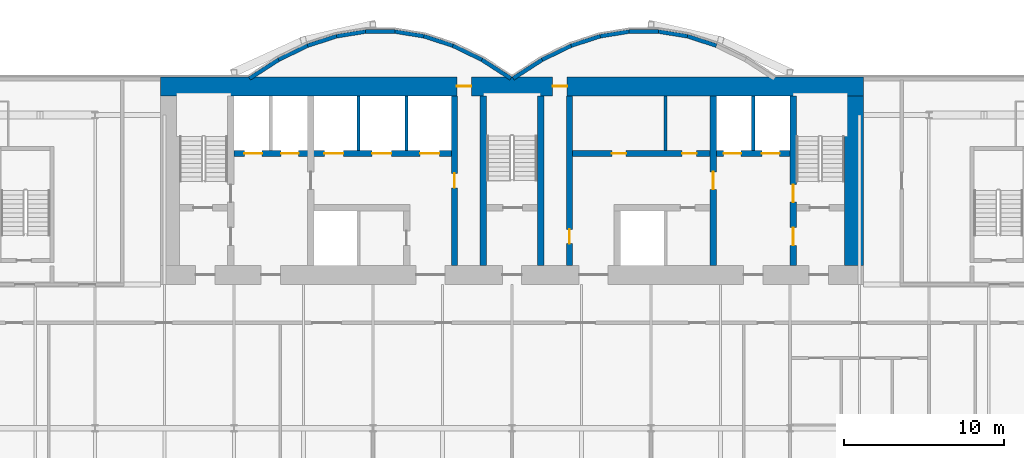
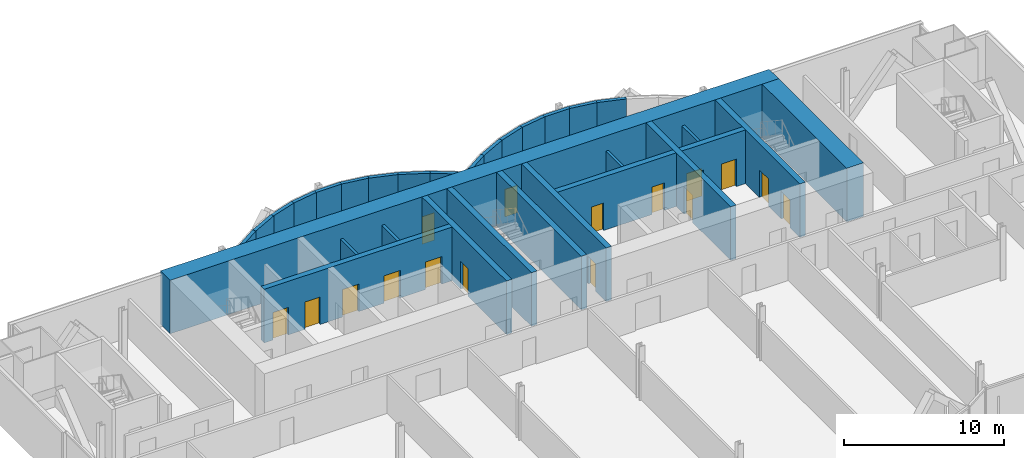
# One storey, part 17 of 21: 30 walls, 16 doors, 16 openings.
"""IFC4 building model written with IfcOpenShell, lengths in metres."""

from ifc_helpers import new_model, si_unit, direction, frame, frame_2d, origin, place, context, subcontext, project, spatial, rectangle, extrude, material, layer, layer_set, layer_usage, type_object, element, fill, save


model = new_model("IFC4")

# Units and contexts
model_context = context("Model", 3, precision=1e-05, world=origin(), true_north=direction((0.0, 1.0)))
body_context = subcontext(model_context, "Body", "Model", "MODEL_VIEW")
ifc_project = project(units=[si_unit("LENGTHUNIT", "METRE"), si_unit("AREAUNIT", "SQUARE_METRE"), si_unit("VOLUMEUNIT", "CUBIC_METRE"), si_unit("PLANEANGLEUNIT", "RADIAN"), si_unit("MASSUNIT", "GRAM", prefix="KILO")], contexts=[model_context])

# Site, building, storey
site_placement = place(None, origin())
site = spatial("IfcSite", under=ifc_project, at=site_placement, CompositionType="ELEMENT")
building_placement = place(site_placement, origin())
building = spatial("IfcBuilding", under=site, at=building_placement, Name="Bicima Exchange Tower", CompositionType="ELEMENT")
storey_placement = place(building_placement, frame((0.0, 0.0, 126.800048828125)))
storey = spatial("IfcBuildingStorey", under=building, at=storey_placement, Name="L27", CompositionType="ELEMENT", Elevation=126.800048828125)

# Walls
ifc_material_1 = material(Name="Gypsum board partition")
ifc_layer_1 = layer(ifc_material_1, 0.199951171875)
ifc_layer_set_1 = layer_set([ifc_layer_1], Name="Gypsum board partition")
wall_type_1 = type_object("IfcWallType", Name="Fire-rated gypsum partition 200 EI120", PredefinedType="PARTITIONING", material=ifc_layer_set_1)
for number, where, z_axis, x_axis, name in (
    (1, (-9.60009765625, -4.60009765625, 0.0), (0.0, 0.0, 1.0), (0.0, 1.0, 0.0), "partition wall 12"),
    (2, (-6.60009765625, -4.60009765625, 0.0), (0.0, 0.0, 1.0), (0.0, 1.0, 0.0), "partition wall 14"),
    (3, (15.10009765625, -4.60009765625, 0.0), (0.0, 0.0, 1.0), (0.0, 1.0, 0.0), "partition wall 23"),
):
    element("IfcWall", number, at=place(storey_placement, frame(where, z_axis=z_axis, x_axis=x_axis)), inside=storey, type_object=wall_type_1, Name=name, PredefinedType="PARTITIONING", context=body_context, shape_type="SweptSolid", body=[
        extrude(rectangle(XDim=3.400146484375, YDim=0.199951171875, at=frame_2d((1.7001953125, 0.0))), origin(), (0.0, 0.0, 1.0), 2.939453125),
    ])
ifc_layer_2 = layer(ifc_material_1, 0.199951171875)
ifc_layer_set_2 = layer_set([ifc_layer_2], Name="Gypsum board partition")
wall_type_2 = type_object("IfcWallType", Name="Fire-rated gypsum partition 200 EI60", PredefinedType="PARTITIONING", material=ifc_layer_set_2)
wall_1_placement = place(storey_placement, frame((9.60009765625, -4.60009765625, 0.0), z_axis=(0.0, 0.0, 1.0), x_axis=(0.0, 1.0, 0.0)))
element("IfcWall", 4, at=wall_1_placement, inside=storey, type_object=wall_type_2, Name="partition wall 21", PredefinedType="PARTITIONING", context=body_context, shape_type="SweptSolid", body=[
    extrude(rectangle(XDim=3.400146484375, YDim=0.199951171875, at=frame_2d((1.7001953125, 0.0))), origin(), (0.0, 0.0, 1.0), 2.939453125),
])

# Wall, openings, doors
ifc_material_2 = material(Name="Concrete C60/75", Category="concrete")
ifc_layer_3 = layer(ifc_material_2, 1.199951171875)
ifc_layer_set_3 = layer_set([ifc_layer_3], Name="Concrete C60/75")
wall_type_3 = type_object("IfcWallType", Name="RC core wall 1200 C60/75", PredefinedType="SHEAR", material=ifc_layer_set_3)
wall_2_placement = place(storey_placement, frame((-22.0, -0.60009765625, 0.0), z_axis=(0.0, 0.0, 1.0), x_axis=(1.0, 0.0, 0.0)))
wall_2 = element("IfcWall", 5, at=wall_2_placement, inside=storey, type_object=wall_type_3, Name="Core wall north", PredefinedType="SHEAR", context=body_context, shape_type="SweptSolid", body=[
    extrude(rectangle(XDim=44.0, YDim=1.199951171875, at=frame_2d((22.0, 0.0))), origin(), (0.0, 0.0, 1.0), 4.099853515625),
])
opening_1_placement = place(wall_2_placement, frame((18.550048828125, 0.0, 0.0)))
opening_1 = element("IfcOpeningElement", 6, at=opening_1_placement, cuts=wall_2, Name="Opening L27-C16", PredefinedType="OPENING", context=body_context, shape_type="SweptSolid", body=[
    extrude(rectangle(XDim=0.89990234375, YDim=2.10009765625, at=frame_2d((0.449951171875, 1.050048828125))), frame((0.0, 0.61181640625, 0.0), z_axis=(0.0, -1.0, 0.0), x_axis=(1.0, 0.0, 0.0)), (0.0, 0.0, 1.0), 1.223876953125),
])
opening_2_placement = place(wall_2_placement, frame((24.550048828125, 0.0, 0.0)))
opening_2 = element("IfcOpeningElement", 7, at=opening_2_placement, cuts=wall_2, Name="Opening L27-C17", PredefinedType="OPENING", context=body_context, shape_type="SweptSolid", body=[
    extrude(rectangle(XDim=0.89990234375, YDim=2.10009765625, at=frame_2d((0.449951171875, 1.050048828125))), frame((0.0, 0.61181640625, 0.0), z_axis=(0.0, -1.0, 0.0), x_axis=(1.0, 0.0, 0.0)), (0.0, 0.0, 1.0), 1.223876953125),
])
ifc_material_3 = material(Name="Steel fire door leaf", Category="steel")
door_type_1 = type_object("IfcDoorType", Name="Door 900 swing FD30S", OperationType="SINGLE_SWING_LEFT", PredefinedType="DOOR", material=ifc_material_3)
door_1_placement = place(opening_1_placement, origin())
door_1 = element("IfcDoor", 8, at=door_1_placement, inside=storey, type_object=door_type_1, Name="Core door", OperationType="SINGLE_SWING_LEFT", OverallHeight=2.10009765625, OverallWidth=0.89990234375, PredefinedType="DOOR", context=body_context, shape_type="SweptSolid", body=[
    extrude(rectangle(XDim=0.89990234375, YDim=2.10009765625, at=frame_2d((0.449951171875, 1.050048828125))), frame((0.0, 0.02490234375, 0.0), z_axis=(0.0, -1.0, 0.0), x_axis=(1.0, 0.0, 0.0)), (0.0, 0.0, 1.0), 0.050048828125),
])
fill(opening_1, door_1)
door_2_placement = place(opening_2_placement, origin())
door_2 = element("IfcDoor", 9, at=door_2_placement, inside=storey, type_object=door_type_1, Name="Core door", OperationType="SINGLE_SWING_LEFT", OverallHeight=2.10009765625, OverallWidth=0.89990234375, PredefinedType="DOOR", context=body_context, shape_type="SweptSolid", body=[
    extrude(rectangle(XDim=0.89990234375, YDim=2.10009765625, at=frame_2d((0.449951171875, 1.050048828125))), frame((0.0, 0.02490234375, 0.0), z_axis=(0.0, -1.0, 0.0), x_axis=(1.0, 0.0, 0.0)), (0.0, 0.0, 1.0), 0.050048828125),
])
fill(opening_2, door_2)

# Walls
wall_3_placement = place(storey_placement, frame((21.39990234375, -11.800048828125, 0.0), z_axis=(0.0, 0.0, 1.0), x_axis=(0.0, 1.0, 0.0)))
element("IfcWall", 10, at=wall_3_placement, inside=storey, type_object=wall_type_3, Name="Core wall east", PredefinedType="SHEAR", context=body_context, shape_type="SweptSolid", body=[
    extrude(rectangle(XDim=10.60009765625, YDim=1.199951171875, at=frame_2d((5.300048828125, 0.0))), origin(), (0.0, 0.0, 1.0), 4.099853515625),
])
ifc_material_4 = material(Name="Concrete C50/60", Category="concrete")
ifc_layer_4 = layer(ifc_material_4, 0.39990234375)
ifc_layer_set_4 = layer_set([ifc_layer_4], Name="Concrete C50/60")
wall_type_4 = type_object("IfcWallType", Name="RC core wall 400 C50/60", PredefinedType="SHEAR", material=ifc_layer_set_4)
for number, where, z_axis, x_axis, name in (
    (11, (-1.800048828125, -11.800048828125, 0.0), (0.0, 0.0, 1.0), (0.0, 1.0, 0.0), "stair wall 16"),
    (12, (1.800048828125, -11.800048828125, 0.0), (0.0, 0.0, 1.0), (0.0, 1.0, 0.0), "stair wall 17"),
):
    element("IfcWall", number, at=place(storey_placement, frame(where, z_axis=z_axis, x_axis=x_axis)), inside=storey, type_object=wall_type_4, Name=name, PredefinedType="SHEAR", context=body_context, shape_type="SweptSolid", body=[
        extrude(rectangle(XDim=10.60009765625, YDim=0.39990234375, at=frame_2d((5.300048828125, 0.0))), origin(), (0.0, 0.0, 1.0), 4.099853515625),
    ])

# Wall, openings, doors
wall_4_placement = place(storey_placement, frame((17.60009765625, -11.800048828125, 0.0), z_axis=(0.0, 0.0, 1.0), x_axis=(0.0, 1.0, 0.0)))
wall_4 = element("IfcWall", 13, at=wall_4_placement, inside=storey, type_object=wall_type_4, Name="stair wall 24", PredefinedType="SHEAR", context=body_context, shape_type="SweptSolid", body=[
    extrude(rectangle(XDim=10.60009765625, YDim=0.39990234375, at=frame_2d((5.300048828125, 0.0))), origin(), (0.0, 0.0, 1.0), 4.099853515625),
])
opening_3_placement = place(wall_4_placement, frame((1.25, 0.0, 0.0)))
opening_3 = element("IfcOpeningElement", 14, at=opening_3_placement, cuts=wall_4, Name="Opening L27-C05", PredefinedType="OPENING", context=body_context, shape_type="SweptSolid", body=[
    extrude(rectangle(XDim=1.10009765625, YDim=2.10009765625, at=frame_2d((0.550048828125, 1.050048828125))), frame((0.0, 0.2119140625, 0.0), z_axis=(0.0, -1.0, 0.0), x_axis=(1.0, 0.0, 0.0)), (0.0, 0.0, 1.0), 0.423828125),
])
opening_4_placement = place(wall_4_placement, frame((3.949951171875, 0.0, 0.0)))
opening_4 = element("IfcOpeningElement", 15, at=opening_4_placement, cuts=wall_4, Name="Opening L27-C08", PredefinedType="OPENING", context=body_context, shape_type="SweptSolid", body=[
    extrude(rectangle(XDim=1.10009765625, YDim=2.10009765625, at=frame_2d((0.550048828125, 1.050048828125))), frame((0.0, 0.2119140625, 0.0), z_axis=(0.0, -1.0, 0.0), x_axis=(1.0, 0.0, 0.0)), (0.0, 0.0, 1.0), 0.423828125),
])
door_type_2 = type_object("IfcDoorType", Name="Door 1100 swing FD60S", OperationType="SINGLE_SWING_LEFT", PredefinedType="DOOR", material=ifc_material_3)
door_3_placement = place(opening_3_placement, origin())
door_3 = element("IfcDoor", 16, at=door_3_placement, inside=storey, type_object=door_type_2, Name="Core door", OperationType="SINGLE_SWING_LEFT", OverallHeight=2.10009765625, OverallWidth=1.10009765625, PredefinedType="DOOR", context=body_context, shape_type="SweptSolid", body=[
    extrude(rectangle(XDim=1.10009765625, YDim=2.10009765625, at=frame_2d((0.550048828125, 1.050048828125))), frame((0.0, 0.02490234375, 0.0), z_axis=(0.0, -1.0, 0.0), x_axis=(1.0, 0.0, 0.0)), (0.0, 0.0, 1.0), 0.050048828125),
])
fill(opening_3, door_3)
door_4_placement = place(opening_4_placement, origin())
door_4 = element("IfcDoor", 17, at=door_4_placement, inside=storey, type_object=door_type_2, Name="Core door", OperationType="SINGLE_SWING_RIGHT", OverallHeight=2.10009765625, OverallWidth=1.10009765625, PredefinedType="DOOR", context=body_context, shape_type="SweptSolid", body=[
    extrude(rectangle(XDim=1.10009765625, YDim=2.10009765625, at=frame_2d((0.550048828125, 1.050048828125))), frame((0.0, 0.02490234375, 0.0), z_axis=(0.0, -1.0, 0.0), x_axis=(1.0, 0.0, 0.0)), (0.0, 0.0, 1.0), 0.050048828125),
])
fill(opening_4, door_4)

ifc_layer_5 = layer(ifc_material_2, 0.39990234375)
ifc_layer_set_5 = layer_set([ifc_layer_5], Name="Concrete C60/75")
wall_type_5 = type_object("IfcWallType", Name="RC core wall 400 C60/75", PredefinedType="SHEAR", material=ifc_layer_set_5)
wall_5_placement = place(storey_placement, frame((-17.39990234375, -4.800048828125, 0.0), z_axis=(0.0, 0.0, 1.0), x_axis=(1.0, 0.0, 0.0)))
wall_5 = element("IfcWall", 18, at=wall_5_placement, inside=storey, type_object=wall_type_5, Name="shear wall 6", PredefinedType="SHEAR", context=body_context, shape_type="SweptSolid", body=[
    extrude(rectangle(XDim=13.599853515625, YDim=0.39990234375, at=frame_2d((6.7998046875, 0.0))), origin(), (0.0, 0.0, 1.0), 4.099853515625),
])
opening_5_placement = place(wall_5_placement, frame((0.64990234375, 0.0, 0.0)))
opening_5 = element("IfcOpeningElement", 19, at=opening_5_placement, cuts=wall_5, Name="Opening LD-FF1-L27", PredefinedType="OPENING", context=body_context, shape_type="SweptSolid", body=[
    extrude(rectangle(XDim=1.10009765625, YDim=2.10009765625, at=frame_2d((0.550048828125, 1.050048828125))), frame((0.0, 0.2119140625, 0.0), z_axis=(0.0, -1.0, 0.0), x_axis=(1.0, 0.0, 0.0)), (0.0, 0.0, 1.0), 0.423828125),
])
opening_6_placement = place(wall_5_placement, frame((2.949951171875, 0.0, 0.0)))
opening_6 = element("IfcOpeningElement", 20, at=opening_6_placement, cuts=wall_5, Name="Opening LD-FF3-L27", PredefinedType="OPENING", context=body_context, shape_type="SweptSolid", body=[
    extrude(rectangle(XDim=1.10009765625, YDim=2.10009765625, at=frame_2d((0.550048828125, 1.050048828125))), frame((0.0, 0.2119140625, 0.0), z_axis=(0.0, -1.0, 0.0), x_axis=(1.0, 0.0, 0.0)), (0.0, 0.0, 1.0), 0.423828125),
])
opening_7_placement = place(wall_5_placement, frame((5.64990234375, 0.0, 0.0)))
opening_7 = element("IfcOpeningElement", 21, at=opening_7_placement, cuts=wall_5, Name="Opening LD-LB1-L27", PredefinedType="OPENING", context=body_context, shape_type="SweptSolid", body=[
    extrude(rectangle(XDim=1.199951171875, YDim=2.10009765625, at=frame_2d((0.60009765625, 1.050048828125))), frame((0.0, 0.2119140625, 0.0), z_axis=(0.0, -1.0, 0.0), x_axis=(1.0, 0.0, 0.0)), (0.0, 0.0, 1.0), 0.423828125),
])
opening_8_placement = place(wall_5_placement, frame((8.64990234375, 0.0, 0.0)))
opening_8 = element("IfcOpeningElement", 22, at=opening_8_placement, cuts=wall_5, Name="Opening LD-LB2-L27", PredefinedType="OPENING", context=body_context, shape_type="SweptSolid", body=[
    extrude(rectangle(XDim=1.199951171875, YDim=2.10009765625, at=frame_2d((0.60009765625, 1.050048828125))), frame((0.0, 0.2119140625, 0.0), z_axis=(0.0, -1.0, 0.0), x_axis=(1.0, 0.0, 0.0)), (0.0, 0.0, 1.0), 0.423828125),
])
opening_9_placement = place(wall_5_placement, frame((11.64990234375, 0.0, 0.0)))
opening_9 = element("IfcOpeningElement", 23, at=opening_9_placement, cuts=wall_5, Name="Opening LD-LB3-L27", PredefinedType="OPENING", context=body_context, shape_type="SweptSolid", body=[
    extrude(rectangle(XDim=1.199951171875, YDim=2.10009765625, at=frame_2d((0.60009765625, 1.050048828125))), frame((0.0, 0.2119140625, 0.0), z_axis=(0.0, -1.0, 0.0), x_axis=(1.0, 0.0, 0.0)), (0.0, 0.0, 1.0), 0.423828125),
])
ifc_material_5 = material(Name="Stainless steel", Category="steel")
door_type_3 = type_object("IfcDoorType", Name="Lift landing door 1100 sliding", OperationType="DOUBLE_DOOR_SLIDING", PredefinedType="DOOR", material=ifc_material_5)
door_5_placement = place(opening_5_placement, origin())
door_5 = element("IfcDoor", 24, at=door_5_placement, inside=storey, type_object=door_type_3, Name="Lift landing door FF1", OperationType="DOUBLE_DOOR_SLIDING", OverallHeight=2.10009765625, OverallWidth=1.10009765625, PredefinedType="DOOR", context=body_context, shape_type="SweptSolid", body=[
    extrude(rectangle(XDim=1.10009765625, YDim=2.10009765625, at=frame_2d((0.550048828125, 1.050048828125))), frame((0.0, 0.02490234375, 0.0), z_axis=(0.0, -1.0, 0.0), x_axis=(1.0, 0.0, 0.0)), (0.0, 0.0, 1.0), 0.050048828125),
])
fill(opening_5, door_5)
door_6_placement = place(opening_6_placement, origin())
door_6 = element("IfcDoor", 25, at=door_6_placement, inside=storey, type_object=door_type_3, Name="Lift landing door FF3", OperationType="DOUBLE_DOOR_SLIDING", OverallHeight=2.10009765625, OverallWidth=1.10009765625, PredefinedType="DOOR", context=body_context, shape_type="SweptSolid", body=[
    extrude(rectangle(XDim=1.10009765625, YDim=2.10009765625, at=frame_2d((0.550048828125, 1.050048828125))), frame((0.0, 0.02490234375, 0.0), z_axis=(0.0, -1.0, 0.0), x_axis=(1.0, 0.0, 0.0)), (0.0, 0.0, 1.0), 0.050048828125),
])
fill(opening_6, door_6)
door_type_4 = type_object("IfcDoorType", Name="Lift landing door 1200 sliding", OperationType="DOUBLE_DOOR_SLIDING", PredefinedType="DOOR", material=ifc_material_5)
door_7_placement = place(opening_7_placement, origin())
door_7 = element("IfcDoor", 26, at=door_7_placement, inside=storey, type_object=door_type_4, Name="Lift landing door LB1", OperationType="DOUBLE_DOOR_SLIDING", OverallHeight=2.10009765625, OverallWidth=1.199951171875, PredefinedType="DOOR", context=body_context, shape_type="SweptSolid", body=[
    extrude(rectangle(XDim=1.199951171875, YDim=2.10009765625, at=frame_2d((0.60009765625, 1.050048828125))), frame((0.0, 0.02490234375, 0.0), z_axis=(0.0, -1.0, 0.0), x_axis=(1.0, 0.0, 0.0)), (0.0, 0.0, 1.0), 0.050048828125),
])
fill(opening_7, door_7)
door_8_placement = place(opening_8_placement, origin())
door_8 = element("IfcDoor", 27, at=door_8_placement, inside=storey, type_object=door_type_4, Name="Lift landing door LB2", OperationType="DOUBLE_DOOR_SLIDING", OverallHeight=2.10009765625, OverallWidth=1.199951171875, PredefinedType="DOOR", context=body_context, shape_type="SweptSolid", body=[
    extrude(rectangle(XDim=1.199951171875, YDim=2.10009765625, at=frame_2d((0.60009765625, 1.050048828125))), frame((0.0, 0.02490234375, 0.0), z_axis=(0.0, -1.0, 0.0), x_axis=(1.0, 0.0, 0.0)), (0.0, 0.0, 1.0), 0.050048828125),
])
fill(opening_8, door_8)
door_9_placement = place(opening_9_placement, origin())
door_9 = element("IfcDoor", 28, at=door_9_placement, inside=storey, type_object=door_type_4, Name="Lift landing door LB3", OperationType="DOUBLE_DOOR_SLIDING", OverallHeight=2.10009765625, OverallWidth=1.199951171875, PredefinedType="DOOR", context=body_context, shape_type="SweptSolid", body=[
    extrude(rectangle(XDim=1.199951171875, YDim=2.10009765625, at=frame_2d((0.60009765625, 1.050048828125))), frame((0.0, 0.02490234375, 0.0), z_axis=(0.0, -1.0, 0.0), x_axis=(1.0, 0.0, 0.0)), (0.0, 0.0, 1.0), 0.050048828125),
])
fill(opening_9, door_9)

wall_6_placement = place(storey_placement, frame((3.800048828125, -4.800048828125, 0.0), z_axis=(0.0, 0.0, 1.0), x_axis=(1.0, 0.0, 0.0)))
wall_6 = element("IfcWall", 29, at=wall_6_placement, inside=storey, type_object=wall_type_5, Name="shear wall 7", PredefinedType="SHEAR", context=body_context, shape_type="SweptSolid", body=[
    extrude(rectangle(XDim=13.599853515625, YDim=0.39990234375, at=frame_2d((6.7998046875, 0.0))), origin(), (0.0, 0.0, 1.0), 4.099853515625),
])
opening_10_placement = place(wall_6_placement, frame((9.449951171875, 0.0, 0.0)))
opening_10 = element("IfcOpeningElement", 30, at=opening_10_placement, cuts=wall_6, Name="Opening LD-FF2-L27", PredefinedType="OPENING", context=body_context, shape_type="SweptSolid", body=[
    extrude(rectangle(XDim=1.10009765625, YDim=2.10009765625, at=frame_2d((0.550048828125, 1.050048828125))), frame((0.0, 0.2119140625, 0.0), z_axis=(0.0, -1.0, 0.0), x_axis=(1.0, 0.0, 0.0)), (0.0, 0.0, 1.0), 0.423828125),
])
opening_11_placement = place(wall_6_placement, frame((11.85009765625, 0.0, 0.0)))
opening_11 = element("IfcOpeningElement", 31, at=opening_11_placement, cuts=wall_6, Name="Opening LD-SV1-L27", PredefinedType="OPENING", context=body_context, shape_type="SweptSolid", body=[
    extrude(rectangle(XDim=1.10009765625, YDim=2.10009765625, at=frame_2d((0.550048828125, 1.050048828125))), frame((0.0, 0.2119140625, 0.0), z_axis=(0.0, -1.0, 0.0), x_axis=(1.0, 0.0, 0.0)), (0.0, 0.0, 1.0), 0.423828125),
])
opening_12_placement = place(wall_6_placement, frame((2.449951171875, 0.0, 0.0)))
opening_12 = element("IfcOpeningElement", 32, at=opening_12_placement, cuts=wall_6, Name="Opening L27-C12", PredefinedType="OPENING", context=body_context, shape_type="SweptSolid", body=[
    extrude(rectangle(XDim=0.89990234375, YDim=2.10009765625, at=frame_2d((0.449951171875, 1.050048828125))), frame((0.0, 0.2119140625, 0.0), z_axis=(0.0, -1.0, 0.0), x_axis=(1.0, 0.0, 0.0)), (0.0, 0.0, 1.0), 0.423828125),
])
opening_13_placement = place(wall_6_placement, frame((6.85009765625, 0.0, 0.0)))
opening_13 = element("IfcOpeningElement", 33, at=opening_13_placement, cuts=wall_6, Name="Opening L27-C13", PredefinedType="OPENING", context=body_context, shape_type="SweptSolid", body=[
    extrude(rectangle(XDim=0.89990234375, YDim=2.10009765625, at=frame_2d((0.449951171875, 1.050048828125))), frame((0.0, 0.2119140625, 0.0), z_axis=(0.0, -1.0, 0.0), x_axis=(1.0, 0.0, 0.0)), (0.0, 0.0, 1.0), 0.423828125),
])
door_10_placement = place(opening_12_placement, origin())
door_10 = element("IfcDoor", 34, at=door_10_placement, inside=storey, type_object=door_type_1, Name="Core door", OperationType="SINGLE_SWING_RIGHT", OverallHeight=2.10009765625, OverallWidth=0.89990234375, PredefinedType="DOOR", context=body_context, shape_type="SweptSolid", body=[
    extrude(rectangle(XDim=0.89990234375, YDim=2.10009765625, at=frame_2d((0.449951171875, 1.050048828125))), frame((0.0, 0.02490234375, 0.0), z_axis=(0.0, -1.0, 0.0), x_axis=(1.0, 0.0, 0.0)), (0.0, 0.0, 1.0), 0.050048828125),
])
fill(opening_12, door_10)
door_11_placement = place(opening_13_placement, origin())
door_11 = element("IfcDoor", 35, at=door_11_placement, inside=storey, type_object=door_type_1, Name="Core door", OperationType="SINGLE_SWING_LEFT", OverallHeight=2.10009765625, OverallWidth=0.89990234375, PredefinedType="DOOR", context=body_context, shape_type="SweptSolid", body=[
    extrude(rectangle(XDim=0.89990234375, YDim=2.10009765625, at=frame_2d((0.449951171875, 1.050048828125))), frame((0.0, 0.02490234375, 0.0), z_axis=(0.0, -1.0, 0.0), x_axis=(1.0, 0.0, 0.0)), (0.0, 0.0, 1.0), 0.050048828125),
])
fill(opening_13, door_11)
door_12_placement = place(opening_10_placement, origin())
door_12 = element("IfcDoor", 36, at=door_12_placement, inside=storey, type_object=door_type_3, Name="Lift landing door FF2", OperationType="DOUBLE_DOOR_SLIDING", OverallHeight=2.10009765625, OverallWidth=1.10009765625, PredefinedType="DOOR", context=body_context, shape_type="SweptSolid", body=[
    extrude(rectangle(XDim=1.10009765625, YDim=2.10009765625, at=frame_2d((0.550048828125, 1.050048828125))), frame((0.0, 0.02490234375, 0.0), z_axis=(0.0, -1.0, 0.0), x_axis=(1.0, 0.0, 0.0)), (0.0, 0.0, 1.0), 0.050048828125),
])
fill(opening_10, door_12)
door_13_placement = place(opening_11_placement, origin())
door_13 = element("IfcDoor", 37, at=door_13_placement, inside=storey, type_object=door_type_3, Name="Lift landing door SV1", OperationType="DOUBLE_DOOR_SLIDING", OverallHeight=2.10009765625, OverallWidth=1.10009765625, PredefinedType="DOOR", context=body_context, shape_type="SweptSolid", body=[
    extrude(rectangle(XDim=1.10009765625, YDim=2.10009765625, at=frame_2d((0.550048828125, 1.050048828125))), frame((0.0, 0.02490234375, 0.0), z_axis=(0.0, -1.0, 0.0), x_axis=(1.0, 0.0, 0.0)), (0.0, 0.0, 1.0), 0.050048828125),
])
fill(opening_11, door_13)

# Wall, opening, door
wall_7_placement = place(storey_placement, frame((-3.60009765625, -11.800048828125, 0.0), z_axis=(0.0, 0.0, 1.0), x_axis=(0.0, 1.0, 0.0)))
wall_7 = element("IfcWall", 38, at=wall_7_placement, inside=storey, type_object=wall_type_5, Name="shear wall 15", PredefinedType="SHEAR", context=body_context, shape_type="SweptSolid", body=[
    extrude(rectangle(XDim=10.60009765625, YDim=0.39990234375, at=frame_2d((5.300048828125, 0.0))), origin(), (0.0, 0.0, 1.0), 4.099853515625),
])
opening_14_placement = place(wall_7_placement, frame((4.85009765625, 0.0, 0.0)))
opening_14 = element("IfcOpeningElement", 39, at=opening_14_placement, cuts=wall_7, Name="Opening L27-C10", PredefinedType="OPENING", context=body_context, shape_type="SweptSolid", body=[
    extrude(rectangle(XDim=0.89990234375, YDim=2.10009765625, at=frame_2d((0.449951171875, 1.050048828125))), frame((0.0, 0.2119140625, 0.0), z_axis=(0.0, -1.0, 0.0), x_axis=(1.0, 0.0, 0.0)), (0.0, 0.0, 1.0), 0.423828125),
])
door_14_placement = place(opening_14_placement, frame((0.89990234375, 0.0, 0.0), z_axis=(0.0, 0.0, 1.0), x_axis=(-1.0, 0.0, 0.0)))
door_14 = element("IfcDoor", 40, at=door_14_placement, inside=storey, type_object=door_type_1, Name="Core door", OperationType="SINGLE_SWING_LEFT", OverallHeight=2.10009765625, OverallWidth=0.89990234375, PredefinedType="DOOR", context=body_context, shape_type="SweptSolid", body=[
    extrude(rectangle(XDim=0.89990234375, YDim=2.10009765625, at=frame_2d((0.449951171875, 1.050048828125))), frame((0.0, 0.02490234375, 0.0), z_axis=(0.0, -1.0, 0.0), x_axis=(1.0, 0.0, 0.0)), (0.0, 0.0, 1.0), 0.050048828125),
])
fill(opening_14, door_14)

wall_8_placement = place(storey_placement, frame((3.60009765625, -11.800048828125, 0.0), z_axis=(0.0, 0.0, 1.0), x_axis=(0.0, 1.0, 0.0)))
wall_8 = element("IfcWall", 41, at=wall_8_placement, inside=storey, type_object=wall_type_5, Name="shear wall 18", PredefinedType="SHEAR", context=body_context, shape_type="SweptSolid", body=[
    extrude(rectangle(XDim=10.60009765625, YDim=0.39990234375, at=frame_2d((5.300048828125, 0.0))), origin(), (0.0, 0.0, 1.0), 4.099853515625),
])
opening_15_placement = place(wall_8_placement, frame((1.35009765625, 0.0, 0.0)))
opening_15 = element("IfcOpeningElement", 42, at=opening_15_placement, cuts=wall_8, Name="Opening L27-C11", PredefinedType="OPENING", context=body_context, shape_type="SweptSolid", body=[
    extrude(rectangle(XDim=0.89990234375, YDim=2.10009765625, at=frame_2d((0.449951171875, 1.050048828125))), frame((0.0, 0.2119140625, 0.0), z_axis=(0.0, -1.0, 0.0), x_axis=(1.0, 0.0, 0.0)), (0.0, 0.0, 1.0), 0.423828125),
])
door_15_placement = place(opening_15_placement, origin())
door_15 = element("IfcDoor", 43, at=door_15_placement, inside=storey, type_object=door_type_1, Name="Core door", OperationType="SINGLE_SWING_LEFT", OverallHeight=2.10009765625, OverallWidth=0.89990234375, PredefinedType="DOOR", context=body_context, shape_type="SweptSolid", body=[
    extrude(rectangle(XDim=0.89990234375, YDim=2.10009765625, at=frame_2d((0.449951171875, 1.050048828125))), frame((0.0, 0.02490234375, 0.0), z_axis=(0.0, -1.0, 0.0), x_axis=(1.0, 0.0, 0.0)), (0.0, 0.0, 1.0), 0.050048828125),
])
fill(opening_15, door_15)

wall_9_placement = place(storey_placement, frame((12.60009765625, -11.800048828125, 0.0), z_axis=(0.0, 0.0, 1.0), x_axis=(0.0, 1.0, 0.0)))
wall_9 = element("IfcWall", 44, at=wall_9_placement, inside=storey, type_object=wall_type_5, Name="shear wall 22", PredefinedType="SHEAR", context=body_context, shape_type="SweptSolid", body=[
    extrude(rectangle(XDim=10.60009765625, YDim=0.39990234375, at=frame_2d((5.300048828125, 0.0))), origin(), (0.0, 0.0, 1.0), 4.099853515625),
])
opening_16_placement = place(wall_9_placement, frame((4.75, 0.0, 0.0)))
opening_16 = element("IfcOpeningElement", 45, at=opening_16_placement, cuts=wall_9, Name="Opening L27-C09", PredefinedType="OPENING", context=body_context, shape_type="SweptSolid", body=[
    extrude(rectangle(XDim=1.10009765625, YDim=2.10009765625, at=frame_2d((0.550048828125, 1.050048828125))), frame((0.0, 0.2119140625, 0.0), z_axis=(0.0, -1.0, 0.0), x_axis=(1.0, 0.0, 0.0)), (0.0, 0.0, 1.0), 0.423828125),
])
door_16_placement = place(opening_16_placement, frame((1.10009765625, 0.0, 0.0), z_axis=(0.0, 0.0, 1.0), x_axis=(-1.0, 0.0, 0.0)))
door_16 = element("IfcDoor", 46, at=door_16_placement, inside=storey, type_object=door_type_2, Name="Core door", OperationType="SINGLE_SWING_RIGHT", OverallHeight=2.10009765625, OverallWidth=1.10009765625, PredefinedType="DOOR", context=body_context, shape_type="SweptSolid", body=[
    extrude(rectangle(XDim=1.10009765625, YDim=2.10009765625, at=frame_2d((0.550048828125, 1.050048828125))), frame((0.0, 0.02490234375, 0.0), z_axis=(0.0, -1.0, 0.0), x_axis=(1.0, 0.0, 0.0)), (0.0, 0.0, 1.0), 0.050048828125),
])
fill(opening_16, door_16)

# Walls
ifc_material_6 = material(Name="Concrete C40/50", Category="concrete")
ifc_layer_6 = layer(ifc_material_6, 0.25)
ifc_layer_set_6 = layer_set([ifc_layer_6], Name="Concrete C40/50")
ifc_layer_usage = layer_usage(ifc_layer_set_6, "AXIS2", "POSITIVE", -0.125)
wall_type_6 = type_object("IfcWallType", Name="Rear backup wall 250", PredefinedType="STANDARD", material=ifc_layer_set_6)
wall_10_placement = place(storey_placement, frame((12.794921875, 1.955078125, 0.0), z_axis=(0.0, 0.0, 1.0), x_axis=(-0.951495806175, 0.307661714928, 0.0)))
element("IfcWall", 47, at=wall_10_placement, inside=storey, type_object=wall_type_6, material=ifc_layer_usage, Name="Rear backup wall L27 4", PredefinedType="STANDARD", context=body_context, shape_type="SweptSolid", body=[
    extrude(rectangle(XDim=1.9267578125, YDim=0.25, at=frame_2d((0.96337890625, 0.0))), origin(), (0.0, 0.0, 1.0), 3.949951171875),
])
wall_11_placement = place(storey_placement, frame((10.97998046875, 2.543212890625, 0.0), z_axis=(0.0, 0.0, 1.0), x_axis=(-0.987181718931, 0.159600293885, 0.0)))
element("IfcWall", 48, at=wall_11_placement, inside=storey, type_object=wall_type_6, material=ifc_layer_usage, Name="Rear backup wall L27 5", PredefinedType="STANDARD", context=body_context, shape_type="SweptSolid", body=[
    extrude(rectangle(XDim=1.857177734375, YDim=0.25, at=frame_2d((0.9287109375, 0.0))), origin(), (0.0, 0.0, 1.0), 3.949951171875),
])
wall_12_placement = place(storey_placement, frame((9.166748046875, 2.837890625, 0.0), z_axis=(0.0, 0.0, 1.0), x_axis=(-1.0, 0.0, 0.0)))
element("IfcWall", 49, at=wall_12_placement, inside=storey, type_object=wall_type_6, material=ifc_layer_usage, Name="Rear backup wall L27 6", PredefinedType="STANDARD", context=body_context, shape_type="SweptSolid", body=[
    extrude(rectangle(XDim=1.83349609375, YDim=0.25, at=frame_2d((0.916748046875, 0.0))), origin(), (0.0, 0.0, 1.0), 3.949951171875),
])
wall_13_placement = place(storey_placement, frame((7.353271484375, 2.839599609375, 0.0), z_axis=(0.0, 0.0, 1.0), x_axis=(-0.987181718931, -0.159600293885, 0.0)))
element("IfcWall", 50, at=wall_13_placement, inside=storey, type_object=wall_type_6, material=ifc_layer_usage, Name="Rear backup wall L27 7", PredefinedType="STANDARD", context=body_context, shape_type="SweptSolid", body=[
    extrude(rectangle(XDim=1.857177734375, YDim=0.25, at=frame_2d((0.9287109375, 0.0))), origin(), (0.0, 0.0, 1.0), 3.949951171875),
])
wall_14_placement = place(storey_placement, frame((5.538330078125, 2.5478515625, 0.0), z_axis=(0.0, 0.0, 1.0), x_axis=(-0.951495806175, -0.307661714928, 0.0)))
element("IfcWall", 51, at=wall_14_placement, inside=storey, type_object=wall_type_6, material=ifc_layer_usage, Name="Rear backup wall L27 8", PredefinedType="STANDARD", context=body_context, shape_type="SweptSolid", body=[
    extrude(rectangle(XDim=1.9267578125, YDim=0.25, at=frame_2d((0.96337890625, 0.0))), origin(), (0.0, 0.0, 1.0), 3.949951171875),
])
wall_15_placement = place(storey_placement, frame((3.72119140625, 1.961669921875, 0.0), z_axis=(0.0, 0.0, 1.0), x_axis=(-0.89982408427, -0.436252928206, 0.0)))
element("IfcWall", 52, at=wall_15_placement, inside=storey, type_object=wall_type_6, material=ifc_layer_usage, Name="Rear backup wall L27 9", PredefinedType="STANDARD", context=body_context, shape_type="SweptSolid", body=[
    extrude(rectangle(XDim=2.03759765625, YDim=0.25, at=frame_2d((1.018798828125, 0.0))), origin(), (0.0, 0.0, 1.0), 3.949951171875),
])
for number, where, z_axis, x_axis, name in (
    (53, (1.901123046875, 1.080078125, 0.0), (0.0, 0.0, 1.0), (-0.83981312244, -0.542875602121, 0.0), "Rear backup wall L27 10"),
    (54, (-0.06787109375, -0.10498046875, 0.0), (0.0, 0.0, 1.0), (-0.83981312244, 0.542875602121, 0.0), "Rear backup wall L27 11"),
):
    element("IfcWall", number, at=place(storey_placement, frame(where, z_axis=z_axis, x_axis=x_axis)), inside=storey, type_object=wall_type_6, material=ifc_layer_usage, Name=name, PredefinedType="STANDARD", context=body_context, shape_type="SweptSolid", body=[
        extrude(rectangle(XDim=2.182861328125, YDim=0.25, at=frame_2d((1.09130859375, 0.0))), origin(), (0.0, 0.0, 1.0), 3.949951171875),
    ])
wall_16_placement = place(storey_placement, frame((-1.8876953125, 1.07275390625, 0.0), z_axis=(0.0, 0.0, 1.0), x_axis=(-0.89982408427, 0.436252928206, 0.0)))
element("IfcWall", 55, at=wall_16_placement, inside=storey, type_object=wall_type_6, material=ifc_layer_usage, Name="Rear backup wall L27 12", PredefinedType="STANDARD", context=body_context, shape_type="SweptSolid", body=[
    extrude(rectangle(XDim=2.03759765625, YDim=0.25, at=frame_2d((1.018798828125, 0.0))), origin(), (0.0, 0.0, 1.0), 3.949951171875),
])
wall_17_placement = place(storey_placement, frame((-3.705078125, 1.955078125, 0.0), z_axis=(0.0, 0.0, 1.0), x_axis=(-0.951495806175, 0.307661714928, 0.0)))
element("IfcWall", 56, at=wall_17_placement, inside=storey, type_object=wall_type_6, material=ifc_layer_usage, Name="Rear backup wall L27 13", PredefinedType="STANDARD", context=body_context, shape_type="SweptSolid", body=[
    extrude(rectangle(XDim=1.9267578125, YDim=0.25, at=frame_2d((0.96337890625, 0.0))), origin(), (0.0, 0.0, 1.0), 3.949951171875),
])
wall_18_placement = place(storey_placement, frame((-5.52001953125, 2.543212890625, 0.0), z_axis=(0.0, 0.0, 1.0), x_axis=(-0.987181718931, 0.159600293885, 0.0)))
element("IfcWall", 57, at=wall_18_placement, inside=storey, type_object=wall_type_6, material=ifc_layer_usage, Name="Rear backup wall L27 14", PredefinedType="STANDARD", context=body_context, shape_type="SweptSolid", body=[
    extrude(rectangle(XDim=1.857177734375, YDim=0.25, at=frame_2d((0.9287109375, 0.0))), origin(), (0.0, 0.0, 1.0), 3.949951171875),
])
wall_19_placement = place(storey_placement, frame((-7.333251953125, 2.837890625, 0.0), z_axis=(0.0, 0.0, 1.0), x_axis=(-1.0, 0.0, 0.0)))
element("IfcWall", 58, at=wall_19_placement, inside=storey, type_object=wall_type_6, material=ifc_layer_usage, Name="Rear backup wall L27 15", PredefinedType="STANDARD", context=body_context, shape_type="SweptSolid", body=[
    extrude(rectangle(XDim=1.83349609375, YDim=0.25, at=frame_2d((0.916748046875, 0.0))), origin(), (0.0, 0.0, 1.0), 3.949951171875),
])
wall_20_placement = place(storey_placement, frame((-9.146728515625, 2.839599609375, 0.0), z_axis=(0.0, 0.0, 1.0), x_axis=(-0.987181718931, -0.159600293885, 0.0)))
element("IfcWall", 59, at=wall_20_placement, inside=storey, type_object=wall_type_6, material=ifc_layer_usage, Name="Rear backup wall L27 16", PredefinedType="STANDARD", context=body_context, shape_type="SweptSolid", body=[
    extrude(rectangle(XDim=1.857177734375, YDim=0.25, at=frame_2d((0.9287109375, 0.0))), origin(), (0.0, 0.0, 1.0), 3.949951171875),
])
wall_21_placement = place(storey_placement, frame((-10.961669921875, 2.5478515625, 0.0), z_axis=(0.0, 0.0, 1.0), x_axis=(-0.951495806175, -0.307661714928, 0.0)))
element("IfcWall", 60, at=wall_21_placement, inside=storey, type_object=wall_type_6, material=ifc_layer_usage, Name="Rear backup wall L27 17", PredefinedType="STANDARD", context=body_context, shape_type="SweptSolid", body=[
    extrude(rectangle(XDim=1.9267578125, YDim=0.25, at=frame_2d((0.96337890625, 0.0))), origin(), (0.0, 0.0, 1.0), 3.949951171875),
])
wall_22_placement = place(storey_placement, frame((-12.77880859375, 1.961669921875, 0.0), z_axis=(0.0, 0.0, 1.0), x_axis=(-0.89982408427, -0.436252928206, 0.0)))
element("IfcWall", 61, at=wall_22_placement, inside=storey, type_object=wall_type_6, material=ifc_layer_usage, Name="Rear backup wall L27 18", PredefinedType="STANDARD", context=body_context, shape_type="SweptSolid", body=[
    extrude(rectangle(XDim=2.03759765625, YDim=0.25, at=frame_2d((1.018798828125, 0.0))), origin(), (0.0, 0.0, 1.0), 3.949951171875),
])
wall_23_placement = place(storey_placement, frame((-14.598876953125, 1.080078125, 0.0), z_axis=(0.0, 0.0, 1.0), x_axis=(-0.83981312244, -0.542875602121, 0.0)))
element("IfcWall", 62, at=wall_23_placement, inside=storey, type_object=wall_type_6, material=ifc_layer_usage, Name="Rear backup wall L27 19", PredefinedType="STANDARD", context=body_context, shape_type="SweptSolid", body=[
    extrude(rectangle(XDim=2.182861328125, YDim=0.25, at=frame_2d((1.09130859375, 0.0))), origin(), (0.0, 0.0, 1.0), 3.949951171875),
])

save(model, "model.ifc")
